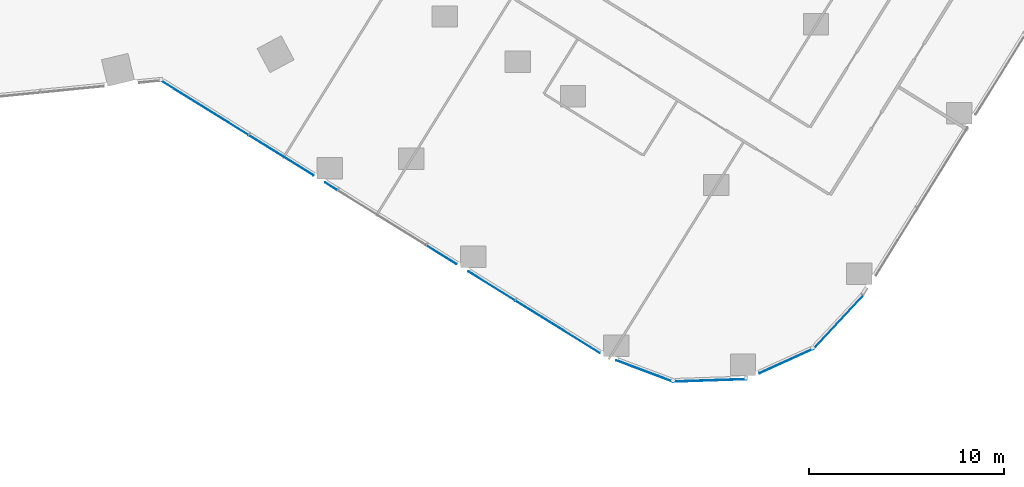
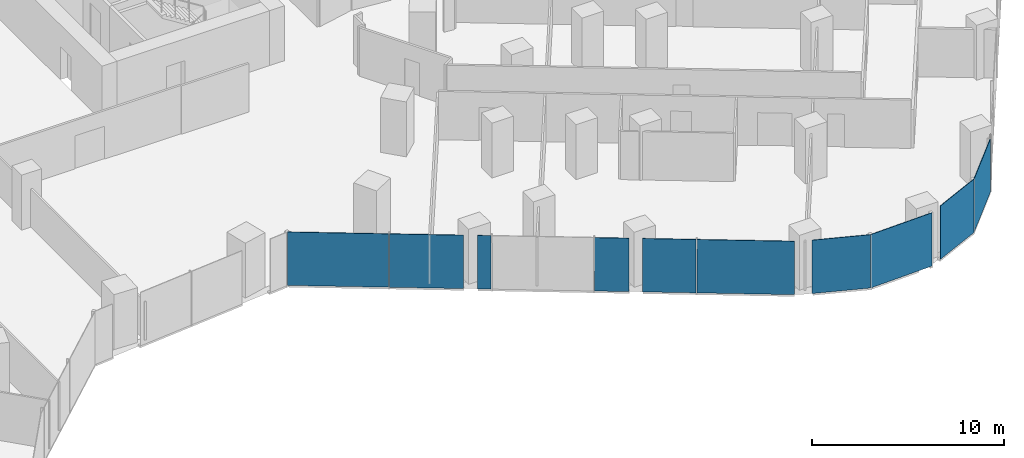
# One storey, part 21 of 33: 10 plates, 5 elements without a shape of their own.
"""IFC4 building model written with IfcOpenShell, lengths in metres."""

from ifc_helpers import new_model, si_unit, direction, frame, origin, origin_2d, place, context, subcontext, project, spatial, rectangle, extrude, material, layer, layer_set, type_object, element, aggregate, save


model = new_model("IFC4")

# Units and contexts
model_context = context("Model", 3, precision=1e-05, world=origin(), true_north=direction((0.0, 1.0)))
body_context = subcontext(model_context, "Body", "Model", "MODEL_VIEW")
ifc_project = project(units=[si_unit("LENGTHUNIT", "METRE"), si_unit("AREAUNIT", "SQUARE_METRE"), si_unit("VOLUMEUNIT", "CUBIC_METRE"), si_unit("PLANEANGLEUNIT", "RADIAN"), si_unit("MASSUNIT", "GRAM", prefix="KILO")], contexts=[model_context])

# Site, building, storey
site_placement = place(None, origin())
site = spatial("IfcSite", under=ifc_project, at=site_placement, CompositionType="ELEMENT")
building_placement = place(site_placement, origin())
building = spatial("IfcBuilding", under=site, at=building_placement, Name="Orlundy Tower", CompositionType="ELEMENT")
storey_placement = place(building_placement, frame((0.0, 0.0, 51.300048828125)))
storey = spatial("IfcBuildingStorey", under=building, at=storey_placement, Name="L11", CompositionType="ELEMENT", Elevation=51.300048828125)

# Curtain wall, plate
ifc_material_1 = material(Name="Aluminium bronze anodised", Category="aluminium")
curtain_wall_type = type_object("IfcCurtainWallType", Name="CW1 wall", PredefinedType="NOTDEFINED", material=ifc_material_1)
curtain_wall_1_placement = place(storey_placement, origin())
curtain_wall_1 = element("IfcCurtainWall", 1, at=curtain_wall_1_placement, inside=storey, type_object=curtain_wall_type, Name="CW1 run 012", PredefinedType="NOTDEFINED")
ifc_material_2 = material(Name="Tinted glass", Category="glass")
ifc_layer = layer(ifc_material_2, 0.031982421875)
ifc_layer_set = layer_set([ifc_layer], Name="CW1 glass panel 32")
plate_type = type_object("IfcPlateType", Name="CW1 glass panel 32", PredefinedType="CURTAIN_PANEL", material=ifc_layer_set)
plate_1_placement = place(storey_placement, frame((43.8515625, -41.78466796875, -0.300048828125), z_axis=(0.0, 0.0, 1.0), x_axis=(-0.68310607378, -0.730319171298, 0.0)))
plate_1 = element("IfcPlate", 2, at=plate_1_placement, type_object=plate_type, Name="CW1 panel", PredefinedType="CURTAIN_PANEL", context=body_context, shape_type="SweptSolid", body=[
    extrude(rectangle(XDim=3.730224609375, YDim=0.031982421875, at=origin_2d()), origin(), (0.0, 0.0, 1.0), 3.39990234375),
])
aggregate(curtain_wall_1, [plate_1])

curtain_wall_2_placement = place(storey_placement, origin())
curtain_wall_2 = element("IfcCurtainWall", 3, at=curtain_wall_2_placement, inside=storey, type_object=curtain_wall_type, Name="CW1 run 013", PredefinedType="NOTDEFINED")
plate_2_placement = place(storey_placement, frame((41.19775390625, -43.773193359375, -0.300048828125), z_axis=(0.0, 0.0, 1.0), x_axis=(-0.91057887201, -0.413335357608, 0.0)))
plate_2 = element("IfcPlate", 4, at=plate_2_placement, type_object=plate_type, Name="CW1 panel", PredefinedType="CURTAIN_PANEL", context=body_context, shape_type="SweptSolid", body=[
    extrude(rectangle(XDim=3.030517578125, YDim=0.031982421875, at=origin_2d()), origin(), (0.0, 0.0, 1.0), 3.39990234375),
])
aggregate(curtain_wall_2, [plate_2])

curtain_wall_3_placement = place(storey_placement, origin())
curtain_wall_3 = element("IfcCurtainWall", 5, at=curtain_wall_3_placement, inside=storey, type_object=curtain_wall_type, Name="CW1 run 014", PredefinedType="NOTDEFINED")
plate_3_placement = place(storey_placement, frame((37.258056640625, -44.768798828125, -0.300048828125), z_axis=(0.0, 0.0, 1.0), x_axis=(-0.99944040698, -0.033449557474, 0.0)))
plate_3 = element("IfcPlate", 6, at=plate_3_placement, type_object=plate_type, Name="CW1 panel", PredefinedType="CURTAIN_PANEL", context=body_context, shape_type="SweptSolid", body=[
    extrude(rectangle(XDim=3.772216796875, YDim=0.031982421875, at=origin_2d()), origin(), (0.0, 0.0, 1.0), 3.39990234375),
])
aggregate(curtain_wall_3, [plate_3])

curtain_wall_4_placement = place(storey_placement, origin())
curtain_wall_4 = element("IfcCurtainWall", 7, at=curtain_wall_4_placement, inside=storey, type_object=curtain_wall_type, Name="CW1 run 015", PredefinedType="NOTDEFINED")
plate_4_placement = place(storey_placement, frame((33.92138671875, -44.287109375, -0.300048828125), z_axis=(0.0, 0.0, 1.0), x_axis=(-0.936173864009, 0.351537332791, 0.0)))
plate_4 = element("IfcPlate", 8, at=plate_4_placement, type_object=plate_type, Name="CW1 panel", PredefinedType="CURTAIN_PANEL", context=body_context, shape_type="SweptSolid", body=[
    extrude(rectangle(XDim=3.1005859375, YDim=0.031982421875, at=origin_2d()), origin(), (0.0, 0.0, 1.0), 3.39990234375),
])
aggregate(curtain_wall_4, [plate_4])

# Curtain wall, plates
curtain_wall_5_placement = place(storey_placement, origin())
curtain_wall_5 = element("IfcCurtainWall", 9, at=curtain_wall_5_placement, inside=storey, type_object=curtain_wall_type, Name="CW1 run 016", PredefinedType="NOTDEFINED")
plate_5_placement = place(storey_placement, frame((29.469482421875, -42.029296875, -0.300048828125), z_axis=(0.0, 0.0, 1.0), x_axis=(-0.849586512969, 0.52744929328, 0.0)))
plate_5 = element("IfcPlate", 10, at=plate_5_placement, type_object=plate_type, Name="CW1 panel", PredefinedType="CURTAIN_PANEL", context=body_context, shape_type="SweptSolid", body=[
    extrude(rectangle(XDim=5.074462890625, YDim=0.031982421875, at=origin_2d()), origin(), (0.0, 0.0, 1.0), 3.39990234375),
])
plate_6_placement = place(storey_placement, frame((26.084228515625, -39.927978515625, -0.300048828125), z_axis=(0.0, 0.0, 1.0), x_axis=(-0.849586512969, 0.52744929328, 0.0)))
plate_6 = element("IfcPlate", 11, at=plate_6_placement, type_object=plate_type, Name="CW1 panel", PredefinedType="CURTAIN_PANEL", context=body_context, shape_type="SweptSolid", body=[
    extrude(rectangle(XDim=2.794189453125, YDim=0.031982421875, at=origin_2d()), origin(), (0.0, 0.0, 1.0), 3.39990234375),
])
plate_7_placement = place(storey_placement, frame((23.52587890625, -38.339599609375, -0.300048828125), z_axis=(0.0, 0.0, 1.0), x_axis=(-0.849586512969, 0.52744929328, 0.0)))
plate_7 = element("IfcPlate", 12, at=plate_7_placement, type_object=plate_type, Name="CW1 panel", PredefinedType="CURTAIN_PANEL", context=body_context, shape_type="SweptSolid", body=[
    extrude(rectangle(XDim=1.79638671875, YDim=0.031982421875, at=origin_2d()), origin(), (0.0, 0.0, 1.0), 3.39990234375),
])
plate_8_placement = place(storey_placement, frame((17.866455078125, -34.825927734375, -0.300048828125), z_axis=(0.0, 0.0, 1.0), x_axis=(-0.849586512969, 0.52744929328, 0.0)))
plate_8 = element("IfcPlate", 13, at=plate_8_placement, type_object=plate_type, Name="CW1 panel", PredefinedType="CURTAIN_PANEL", context=body_context, shape_type="SweptSolid", body=[
    extrude(rectangle(XDim=0.712646484375, YDim=0.031982421875, at=origin_2d()), origin(), (0.0, 0.0, 1.0), 3.39990234375),
])
plate_9_placement = place(storey_placement, frame((15.307373046875, -33.2373046875, -0.300048828125), z_axis=(0.0, 0.0, 1.0), x_axis=(-0.849586512969, 0.52744929328, 0.0)))
plate_9 = element("IfcPlate", 14, at=plate_9_placement, type_object=plate_type, Name="CW1 panel", PredefinedType="CURTAIN_PANEL", context=body_context, shape_type="SweptSolid", body=[
    extrude(rectangle(XDim=3.876220703125, YDim=0.031982421875, at=origin_2d()), origin(), (0.0, 0.0, 1.0), 3.39990234375),
])
plate_10_placement = place(storey_placement, frame((11.376953125, -30.797119140625, -0.300048828125), z_axis=(0.0, 0.0, 1.0), x_axis=(-0.849586512969, 0.52744929328, 0.0)))
plate_10 = element("IfcPlate", 15, at=plate_10_placement, type_object=plate_type, Name="CW1 panel", PredefinedType="CURTAIN_PANEL", context=body_context, shape_type="SweptSolid", body=[
    extrude(rectangle(XDim=5.276123046875, YDim=0.031982421875, at=origin_2d()), origin(), (0.0, 0.0, 1.0), 3.39990234375),
])
aggregate(curtain_wall_5, [plate_5, plate_6, plate_7, plate_8, plate_9, plate_10])

save(model, "model.ifc")
